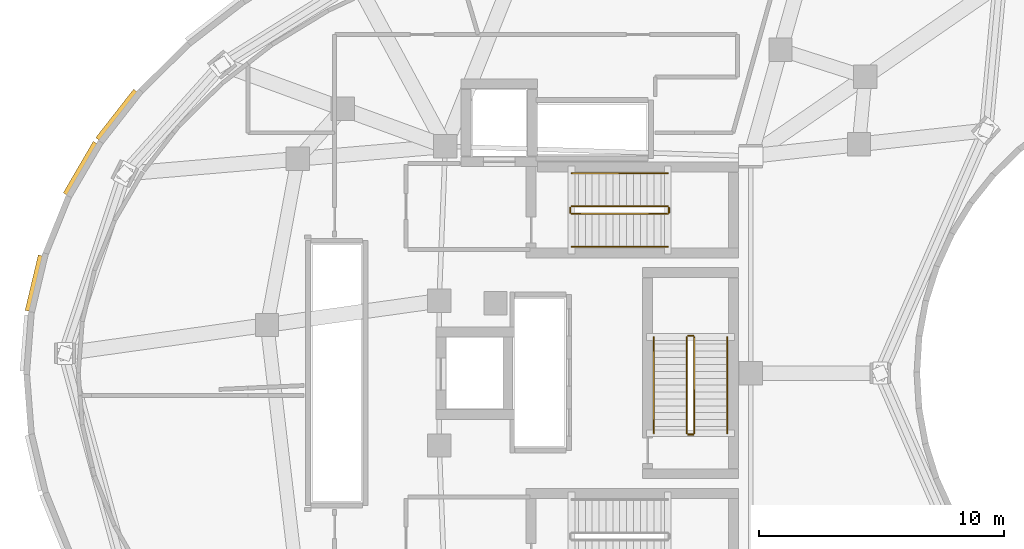
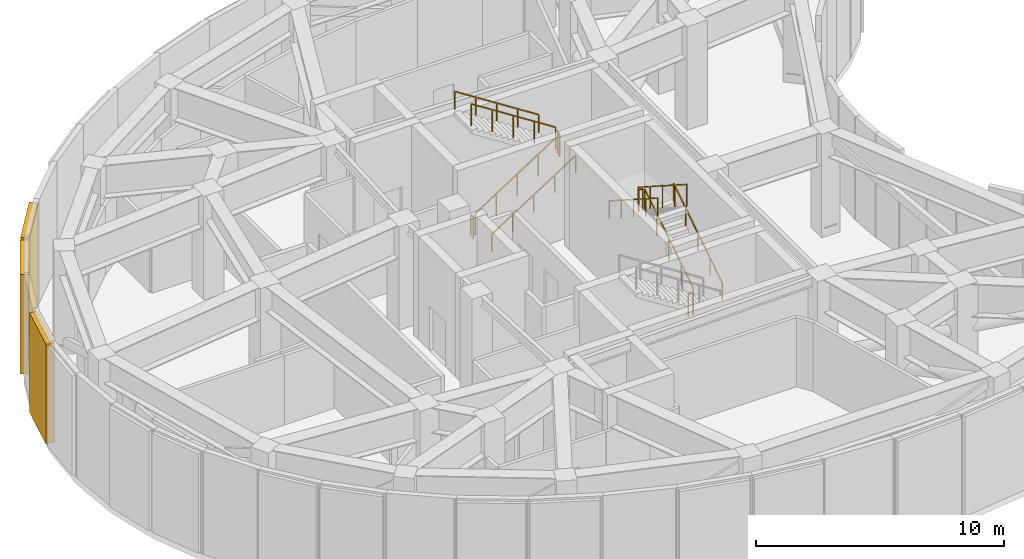
# One storey, part 8 of 9: 12 railings, 3 shading devices.
"""IFC4 building model written with IfcOpenShell, lengths in metres."""

from ifc_helpers import new_model, si_unit, direction, frame, origin, origin_2d, place, context, subcontext, project, spatial, rectangle, extrude, material, layer, layer_set, type_object, element, save


model = new_model("IFC4")

# Units and contexts
model_context = context("Model", 3, precision=1e-05, world=origin(), true_north=direction((0.0, 1.0)))
body_context = subcontext(model_context, "Body", "Model", "MODEL_VIEW")
ifc_project = project(units=[si_unit("LENGTHUNIT", "METRE"), si_unit("AREAUNIT", "SQUARE_METRE"), si_unit("VOLUMEUNIT", "CUBIC_METRE"), si_unit("PLANEANGLEUNIT", "RADIAN"), si_unit("MASSUNIT", "GRAM", prefix="KILO")], contexts=[model_context])

# Site, building, storey
site_placement = place(None, origin())
site = spatial("IfcSite", under=ifc_project, at=site_placement, CompositionType="ELEMENT")
building_placement = place(site_placement, origin())
building = spatial("IfcBuilding", under=site, at=building_placement, Name="Korentha Bioscience Tower", CompositionType="ELEMENT")
storey_placement = place(building_placement, frame((0.0, 0.0, 277.199951171875)))
storey = spatial("IfcBuildingStorey", under=building, at=storey_placement, Name="L64", CompositionType="ELEMENT", Elevation=277.199951171875)

# Shading devices
ifc_material_1 = material(Name="Powder-Coated Aluminium Louvre", Category="aluminium")
ifc_layer = layer(ifc_material_1, 0.1201171875, Name="Powder-Coated Aluminium Louvre")
ifc_layer_set = layer_set([ifc_layer], Name="Powder-Coated Aluminium Louvre (LV-350)")
shading_device_type = type_object("IfcShadingDeviceType", Name="Acoustic Weatherproof Aluminium Plant Louvre 350", PredefinedType="USERDEFINED", material=ifc_layer_set)
shading_device_1_placement = place(storey_placement, frame((11.758544921875, 37.482666015625, 0.10009765625), z_axis=(0.0, 0.0, 1.0), x_axis=(-0.615793831954, -0.787907327372, 0.0)))
element("IfcShadingDevice", 1, at=shading_device_1_placement, inside=storey, type_object=shading_device_type, Name="L64 Acoustic Plant Louvre 14", ObjectType="LOUVRE", PredefinedType="USERDEFINED", context=body_context, shape_type="SweptSolid", body=[
    extrude(rectangle(XDim=2.508544921875, YDim=0.35009765625, at=origin_2d()), origin(), (0.0, 0.0, 1.0), 4.89990234375),
])
shading_device_2_placement = place(storey_placement, frame((10.28662109375, 35.314208984375, 0.10009765625), z_axis=(0.0, 0.0, 1.0), x_axis=(-0.503098045929, -0.864229342352, 0.0)))
element("IfcShadingDevice", 2, at=shading_device_2_placement, inside=storey, type_object=shading_device_type, Name="L64 Acoustic Plant Louvre 15", ObjectType="LOUVRE", PredefinedType="USERDEFINED", context=body_context, shape_type="SweptSolid", body=[
    extrude(rectangle(XDim=2.4306640625, YDim=0.35009765625, at=origin_2d()), origin(), (0.0, 0.0, 1.0), 4.89990234375),
])
shading_device_3_placement = place(storey_placement, frame((8.40625, 30.650390625, 0.10009765625), z_axis=(0.0, 0.0, 1.0), x_axis=(-0.230753719569, -0.973012189495, 0.0)))
element("IfcShadingDevice", 3, at=shading_device_3_placement, inside=storey, type_object=shading_device_type, Name="L64 Acoustic Plant Louvre 17", ObjectType="LOUVRE", PredefinedType="USERDEFINED", context=body_context, shape_type="SweptSolid", body=[
    extrude(rectangle(XDim=2.320068359375, YDim=0.35009765625, at=origin_2d()), origin(), (0.0, 0.0, 1.0), 4.89990234375),
])

# Railings
ifc_material_2 = material(Name="Stainless Steel 304", Category="steel")
railing_type_1 = type_object("IfcRailingType", Name="Brushed Stainless Stair Handrail 900", PredefinedType="HANDRAIL", material=ifc_material_2)
railing_1_placement = place(storey_placement, frame((30.25, 32.14990234375, 0.179931640625)))
element("IfcRailing", 4, at=railing_1_placement, inside=storey, type_object=railing_type_1, Name="L64 ST-1 stair handrail 1", PredefinedType="HANDRAIL", context=body_context, shape_type="SweptSolid", body=[
    extrude(rectangle(XDim=0.048095703125, YDim=0.048095703125, at=origin_2d()), frame((0.0, 0.0, 0.8759765625), z_axis=(0.841171666519, 0.0, 0.540768182723), x_axis=(0.0, 1.0, 0.0)), (0.0, 0.0, 1.0), 4.66015625),
    extrude(rectangle(XDim=0.0419921875, YDim=0.0419921875, at=origin_2d()), origin(), (0.0, 0.0, 1.0), 0.851806640625),
    extrude(rectangle(XDim=0.0419921875, YDim=0.0419921875, at=origin_2d()), frame((0.97998046875, 0.0, 0.6298828125)), (0.0, 0.0, 1.0), 0.851806640625),
    extrude(rectangle(XDim=0.0419921875, YDim=0.0419921875, at=origin_2d()), frame((1.9599609375, 0.0, 1.260009765625)), (0.0, 0.0, 1.0), 0.851806640625),
    extrude(rectangle(XDim=0.0419921875, YDim=0.0419921875, at=origin_2d()), frame((2.93994140625, 0.0, 1.89013671875)), (0.0, 0.0, 1.0), 0.851806640625),
    extrude(rectangle(XDim=0.0419921875, YDim=0.0419921875, at=origin_2d()), frame((3.919921875, 0.0, 2.52001953125)), (0.0, 0.0, 1.0), 0.851806640625),
])
railing_2_placement = place(storey_placement, frame((34.169921875, 35.14990234375, 2.880126953125)))
element("IfcRailing", 5, at=railing_2_placement, inside=storey, type_object=railing_type_1, Name="L64 ST-1 stair handrail 2", PredefinedType="HANDRAIL", context=body_context, shape_type="SweptSolid", body=[
    extrude(rectangle(XDim=0.048095703125, YDim=0.048095703125, at=origin_2d()), frame((0.0, 0.0, 0.8759765625), z_axis=(-0.841171666519, 0.0, 0.540768182723), x_axis=(0.0, -1.0, 0.0)), (0.0, 0.0, 1.0), 4.66015625),
    extrude(rectangle(XDim=0.0419921875, YDim=0.0419921875, at=origin_2d()), origin(), (0.0, 0.0, 1.0), 0.851806640625),
    extrude(rectangle(XDim=0.0419921875, YDim=0.0419921875, at=origin_2d()), frame((-0.97998046875, 0.0, 0.6298828125)), (0.0, 0.0, 1.0), 0.851806640625),
    extrude(rectangle(XDim=0.0419921875, YDim=0.0419921875, at=origin_2d()), frame((-1.9599609375, 0.0, 1.260009765625)), (0.0, 0.0, 1.0), 0.851806640625),
    extrude(rectangle(XDim=0.0419921875, YDim=0.0419921875, at=origin_2d()), frame((-2.93994140625, 0.0, 1.89013671875)), (0.0, 0.0, 1.0), 0.851806640625),
    extrude(rectangle(XDim=0.0419921875, YDim=0.0419921875, at=origin_2d()), frame((-3.919921875, 0.0, 2.52001953125)), (0.0, 0.0, 1.0), 0.851806640625),
])
railing_3_placement = place(storey_placement, frame((36.60009765625, 24.550048828125, 0.179931640625)))
element("IfcRailing", 6, at=railing_3_placement, inside=storey, type_object=railing_type_1, Name="L64 ST-3 stair handrail 1", PredefinedType="HANDRAIL", context=body_context, shape_type="SweptSolid", body=[
    extrude(rectangle(XDim=0.048095703125, YDim=0.048095703125, at=origin_2d()), frame((0.0, 0.0, 0.8759765625), z_axis=(0.0, 0.841171666519, 0.540768182723), x_axis=(-1.0, 0.0, 0.0)), (0.0, 0.0, 1.0), 4.66015625),
    extrude(rectangle(XDim=0.0419921875, YDim=0.0419921875, at=origin_2d()), origin(), (0.0, 0.0, 1.0), 0.851806640625),
    extrude(rectangle(XDim=0.0419921875, YDim=0.0419921875, at=origin_2d()), frame((0.0, 0.97998046875, 0.6298828125)), (0.0, 0.0, 1.0), 0.851806640625),
    extrude(rectangle(XDim=0.0419921875, YDim=0.0419921875, at=origin_2d()), frame((0.0, 1.9599609375, 1.260009765625)), (0.0, 0.0, 1.0), 0.851806640625),
    extrude(rectangle(XDim=0.0419921875, YDim=0.0419921875, at=origin_2d()), frame((0.0, 2.93994140625, 1.89013671875)), (0.0, 0.0, 1.0), 0.851806640625),
    extrude(rectangle(XDim=0.0419921875, YDim=0.0419921875, at=origin_2d()), frame((0.0, 3.919921875, 2.52001953125)), (0.0, 0.0, 1.0), 0.851806640625),
])
railing_4_placement = place(storey_placement, frame((33.60009765625, 28.469970703125, 2.880126953125)))
element("IfcRailing", 7, at=railing_4_placement, inside=storey, type_object=railing_type_1, Name="L64 ST-3 stair handrail 2", PredefinedType="HANDRAIL", context=body_context, shape_type="SweptSolid", body=[
    extrude(rectangle(XDim=0.048095703125, YDim=0.048095703125, at=origin_2d()), frame((0.0, 0.0, 0.8759765625), z_axis=(0.0, -0.841171666519, 0.540768182723), x_axis=(1.0, 0.0, 0.0)), (0.0, 0.0, 1.0), 4.66015625),
    extrude(rectangle(XDim=0.0419921875, YDim=0.0419921875, at=origin_2d()), origin(), (0.0, 0.0, 1.0), 0.851806640625),
    extrude(rectangle(XDim=0.0419921875, YDim=0.0419921875, at=origin_2d()), frame((0.0, -0.97998046875, 0.6298828125)), (0.0, 0.0, 1.0), 0.851806640625),
    extrude(rectangle(XDim=0.0419921875, YDim=0.0419921875, at=origin_2d()), frame((0.0, -1.9599609375, 1.260009765625)), (0.0, 0.0, 1.0), 0.851806640625),
    extrude(rectangle(XDim=0.0419921875, YDim=0.0419921875, at=origin_2d()), frame((0.0, -2.93994140625, 1.89013671875)), (0.0, 0.0, 1.0), 0.851806640625),
    extrude(rectangle(XDim=0.0419921875, YDim=0.0419921875, at=origin_2d()), frame((0.0, -3.919921875, 2.52001953125)), (0.0, 0.0, 1.0), 0.851806640625),
])
ifc_material_3 = material(Name="Painted Steel S275", Category="steel")
railing_type_2 = type_object("IfcRailingType", Name="Painted Steel Stair Well Guardrail 1100", PredefinedType="GUARDRAIL", material=ifc_material_3)
railing_5_placement = place(storey_placement, frame((30.25, 33.5, 0.179931640625)))
element("IfcRailing", 8, at=railing_5_placement, inside=storey, type_object=railing_type_2, Name="L64 ST-1 stair guard 1", PredefinedType="GUARDRAIL", context=body_context, shape_type="SweptSolid", body=[
    extrude(rectangle(XDim=0.048095703125, YDim=0.048095703125, at=origin_2d()), frame((0.0, 0.0, 1.076171875), z_axis=(0.841171666519, 0.0, 0.540768182723), x_axis=(0.0, 1.0, 0.0)), (0.0, 0.0, 1.0), 4.66015625),
    extrude(rectangle(XDim=0.0419921875, YDim=0.0419921875, at=origin_2d()), origin(), (0.0, 0.0, 1.0), 1.052001953125),
    extrude(rectangle(XDim=0.0419921875, YDim=0.0419921875, at=origin_2d()), frame((0.97998046875, 0.0, 0.6298828125)), (0.0, 0.0, 1.0), 1.052001953125),
    extrude(rectangle(XDim=0.0419921875, YDim=0.0419921875, at=origin_2d()), frame((1.9599609375, 0.0, 1.260009765625)), (0.0, 0.0, 1.0), 1.052001953125),
    extrude(rectangle(XDim=0.0419921875, YDim=0.0419921875, at=origin_2d()), frame((2.93994140625, 0.0, 1.89013671875)), (0.0, 0.0, 1.0), 1.052001953125),
    extrude(rectangle(XDim=0.0419921875, YDim=0.0419921875, at=origin_2d()), frame((3.919921875, 0.0, 2.52001953125)), (0.0, 0.0, 1.0), 1.052001953125),
])
railing_6_placement = place(storey_placement, frame((34.219970703125, 33.550048828125, 2.699951171875)))
element("IfcRailing", 9, at=railing_6_placement, inside=storey, type_object=railing_type_2, Name="L64 ST-1 stair guard 2", PredefinedType="GUARDRAIL", context=body_context, shape_type="SweptSolid", body=[
    extrude(rectangle(XDim=0.048095703125, YDim=0.048095703125, at=origin_2d()), frame((0.0, 0.0, 1.076171875), z_axis=(0.0, 1.0, 0.0), x_axis=(-1.0, 0.0, 0.0)), (0.0, 0.0, 1.0), 0.199951171875),
    extrude(rectangle(XDim=0.0419921875, YDim=0.0419921875, at=origin_2d()), origin(), (0.0, 0.0, 1.0), 1.052001953125),
    extrude(rectangle(XDim=0.0419921875, YDim=0.0419921875, at=origin_2d()), frame((0.0, 0.199951171875, 0.0)), (0.0, 0.0, 1.0), 1.052001953125),
])
railing_7_placement = place(storey_placement, frame((34.169921875, 33.800048828125, 2.880126953125)))
element("IfcRailing", 10, at=railing_7_placement, inside=storey, type_object=railing_type_2, Name="L64 ST-1 stair guard 3", PredefinedType="GUARDRAIL", context=body_context, shape_type="SweptSolid", body=[
    extrude(rectangle(XDim=0.048095703125, YDim=0.048095703125, at=origin_2d()), frame((0.0, 0.0, 1.076171875), z_axis=(-0.841171666519, 0.0, 0.540768182723), x_axis=(0.0, -1.0, 0.0)), (0.0, 0.0, 1.0), 4.66015625),
    extrude(rectangle(XDim=0.0419921875, YDim=0.0419921875, at=origin_2d()), origin(), (0.0, 0.0, 1.0), 1.052001953125),
    extrude(rectangle(XDim=0.0419921875, YDim=0.0419921875, at=origin_2d()), frame((-0.97998046875, 0.0, 0.6298828125)), (0.0, 0.0, 1.0), 1.052001953125),
    extrude(rectangle(XDim=0.0419921875, YDim=0.0419921875, at=origin_2d()), frame((-1.9599609375, 0.0, 1.260009765625)), (0.0, 0.0, 1.0), 1.052001953125),
    extrude(rectangle(XDim=0.0419921875, YDim=0.0419921875, at=origin_2d()), frame((-2.93994140625, 0.0, 1.89013671875)), (0.0, 0.0, 1.0), 1.052001953125),
    extrude(rectangle(XDim=0.0419921875, YDim=0.0419921875, at=origin_2d()), frame((-3.919921875, 0.0, 2.52001953125)), (0.0, 0.0, 1.0), 1.052001953125),
])
railing_8_placement = place(storey_placement, frame((30.199951171875, 33.550048828125, 0.0)))
element("IfcRailing", 11, at=railing_8_placement, inside=storey, type_object=railing_type_2, Name="L64 ST-1 stair guard 4", PredefinedType="GUARDRAIL", context=body_context, shape_type="SweptSolid", body=[
    extrude(rectangle(XDim=0.048095703125, YDim=0.048095703125, at=origin_2d()), frame((0.0, 0.0, 1.076171875), z_axis=(0.0, 1.0, 0.0), x_axis=(-1.0, 0.0, 0.0)), (0.0, 0.0, 1.0), 0.199951171875),
    extrude(rectangle(XDim=0.0419921875, YDim=0.0419921875, at=origin_2d()), origin(), (0.0, 0.0, 1.0), 1.052001953125),
    extrude(rectangle(XDim=0.0419921875, YDim=0.0419921875, at=origin_2d()), frame((0.0, 0.199951171875, 0.0)), (0.0, 0.0, 1.0), 1.052001953125),
])
railing_9_placement = place(storey_placement, frame((35.25, 24.550048828125, 0.179931640625)))
element("IfcRailing", 12, at=railing_9_placement, inside=storey, type_object=railing_type_2, Name="L64 ST-3 stair guard 1", PredefinedType="GUARDRAIL", context=body_context, shape_type="SweptSolid", body=[
    extrude(rectangle(XDim=0.048095703125, YDim=0.048095703125, at=origin_2d()), frame((0.0, 0.0, 1.076171875), z_axis=(0.0, 0.841171666519, 0.540768182723), x_axis=(-1.0, 0.0, 0.0)), (0.0, 0.0, 1.0), 4.66015625),
    extrude(rectangle(XDim=0.0419921875, YDim=0.0419921875, at=origin_2d()), origin(), (0.0, 0.0, 1.0), 1.052001953125),
    extrude(rectangle(XDim=0.0419921875, YDim=0.0419921875, at=origin_2d()), frame((0.0, 0.97998046875, 0.6298828125)), (0.0, 0.0, 1.0), 1.052001953125),
    extrude(rectangle(XDim=0.0419921875, YDim=0.0419921875, at=origin_2d()), frame((0.0, 1.9599609375, 1.260009765625)), (0.0, 0.0, 1.0), 1.052001953125),
    extrude(rectangle(XDim=0.0419921875, YDim=0.0419921875, at=origin_2d()), frame((0.0, 2.93994140625, 1.89013671875)), (0.0, 0.0, 1.0), 1.052001953125),
    extrude(rectangle(XDim=0.0419921875, YDim=0.0419921875, at=origin_2d()), frame((0.0, 3.919921875, 2.52001953125)), (0.0, 0.0, 1.0), 1.052001953125),
])
railing_10_placement = place(storey_placement, frame((35.199951171875, 28.52001953125, 2.699951171875)))
element("IfcRailing", 13, at=railing_10_placement, inside=storey, type_object=railing_type_2, Name="L64 ST-3 stair guard 2", PredefinedType="GUARDRAIL", context=body_context, shape_type="SweptSolid", body=[
    extrude(rectangle(XDim=0.048095703125, YDim=0.048095703125, at=origin_2d()), frame((0.0, 0.0, 1.076171875), z_axis=(-1.0, 0.0, 0.0), x_axis=(0.0, -1.0, 0.0)), (0.0, 0.0, 1.0), 0.199951171875),
    extrude(rectangle(XDim=0.0419921875, YDim=0.0419921875, at=origin_2d()), origin(), (0.0, 0.0, 1.0), 1.052001953125),
    extrude(rectangle(XDim=0.0419921875, YDim=0.0419921875, at=origin_2d()), frame((-0.199951171875, 0.0, 0.0)), (0.0, 0.0, 1.0), 1.052001953125),
])
railing_11_placement = place(storey_placement, frame((34.949951171875, 28.469970703125, 2.880126953125)))
element("IfcRailing", 14, at=railing_11_placement, inside=storey, type_object=railing_type_2, Name="L64 ST-3 stair guard 3", PredefinedType="GUARDRAIL", context=body_context, shape_type="SweptSolid", body=[
    extrude(rectangle(XDim=0.048095703125, YDim=0.048095703125, at=origin_2d()), frame((0.0, 0.0, 1.076171875), z_axis=(0.0, -0.841171666519, 0.540768182723), x_axis=(1.0, 0.0, 0.0)), (0.0, 0.0, 1.0), 4.66015625),
    extrude(rectangle(XDim=0.0419921875, YDim=0.0419921875, at=origin_2d()), origin(), (0.0, 0.0, 1.0), 1.052001953125),
    extrude(rectangle(XDim=0.0419921875, YDim=0.0419921875, at=origin_2d()), frame((0.0, -0.97998046875, 0.6298828125)), (0.0, 0.0, 1.0), 1.052001953125),
    extrude(rectangle(XDim=0.0419921875, YDim=0.0419921875, at=origin_2d()), frame((0.0, -1.9599609375, 1.260009765625)), (0.0, 0.0, 1.0), 1.052001953125),
    extrude(rectangle(XDim=0.0419921875, YDim=0.0419921875, at=origin_2d()), frame((0.0, -2.93994140625, 1.89013671875)), (0.0, 0.0, 1.0), 1.052001953125),
    extrude(rectangle(XDim=0.0419921875, YDim=0.0419921875, at=origin_2d()), frame((0.0, -3.919921875, 2.52001953125)), (0.0, 0.0, 1.0), 1.052001953125),
])
railing_12_placement = place(storey_placement, frame((35.199951171875, 24.5, 0.0)))
element("IfcRailing", 15, at=railing_12_placement, inside=storey, type_object=railing_type_2, Name="L64 ST-3 stair guard 4", PredefinedType="GUARDRAIL", context=body_context, shape_type="SweptSolid", body=[
    extrude(rectangle(XDim=0.048095703125, YDim=0.048095703125, at=origin_2d()), frame((0.0, 0.0, 1.076171875), z_axis=(-1.0, 0.0, 0.0), x_axis=(0.0, -1.0, 0.0)), (0.0, 0.0, 1.0), 0.199951171875),
    extrude(rectangle(XDim=0.0419921875, YDim=0.0419921875, at=origin_2d()), origin(), (0.0, 0.0, 1.0), 1.052001953125),
    extrude(rectangle(XDim=0.0419921875, YDim=0.0419921875, at=origin_2d()), frame((-0.199951171875, 0.0, 0.0)), (0.0, 0.0, 1.0), 1.052001953125),
])

save(model, "model.ifc")
